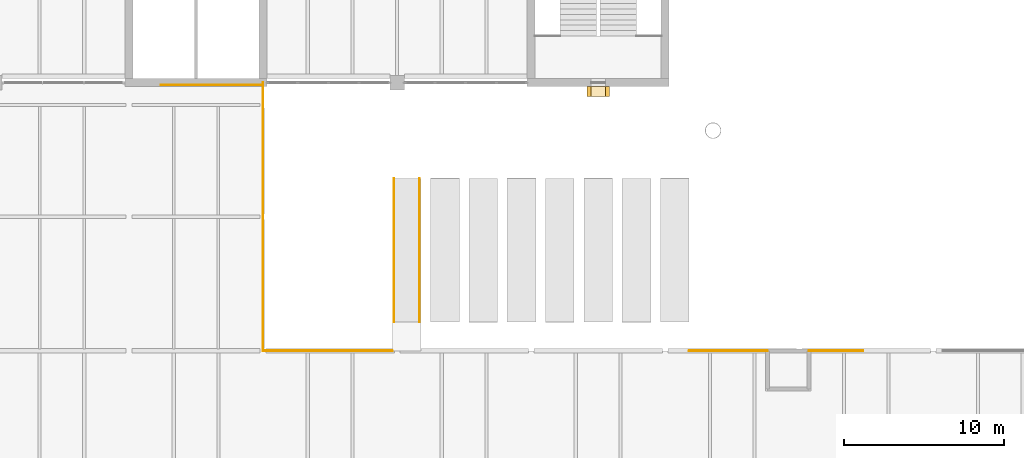
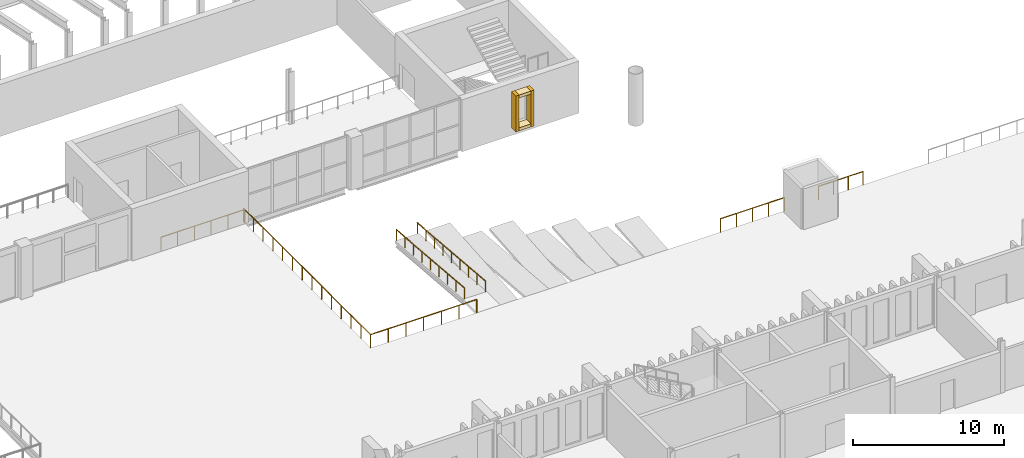
# One storey, part 86 of 96: 7 railings, 4 coverings.
"""IFC4 building model written with IfcOpenShell, lengths in metres."""

from ifc_helpers import new_model, si_unit, direction, frame, origin, origin_2d, place, context, subcontext, project, spatial, rectangle, circle, extrude, material, type_object, element, save


model = new_model("IFC4")

# Units and contexts
model_context = context("Model", 3, precision=1e-05, world=origin(), true_north=direction((0.0, 1.0)))
body_context = subcontext(model_context, "Body", "Model", "MODEL_VIEW")
ifc_project = project(units=[si_unit("LENGTHUNIT", "METRE"), si_unit("AREAUNIT", "SQUARE_METRE"), si_unit("VOLUMEUNIT", "CUBIC_METRE"), si_unit("PLANEANGLEUNIT", "RADIAN"), si_unit("MASSUNIT", "GRAM", prefix="KILO")], contexts=[model_context])

# Site, building, storey
site_placement = place(None, origin())
site = spatial("IfcSite", under=ifc_project, at=site_placement, CompositionType="ELEMENT")
building_placement = place(site_placement, origin())
building = spatial("IfcBuilding", under=site, at=building_placement, Name="Cresset Court Congress Hotel", CompositionType="ELEMENT")
storey_placement = place(building_placement, frame((0.0, 0.0, 6.0)))
storey = spatial("IfcBuildingStorey", under=building, at=storey_placement, Name="L01", CompositionType="ELEMENT", Elevation=6.0)

# Railings
ifc_material_1 = material(Name="Steel and laminated glass", Category="steel")
railing_type_1 = type_object("IfcRailingType", Name="Guard 1100 steel and glass external", PredefinedType="GUARDRAIL", material=ifc_material_1)
railing_1_placement = place(storey_placement, frame((92.39990234375, 42.0, 0.0)))
element("IfcRailing", 1, at=railing_1_placement, inside=storey, type_object=railing_type_1, Name="Deck guard 05", PredefinedType="GUARDRAIL", context=body_context, shape_type="SweptSolid", body=[
    extrude(circle(Radius=0.02490234375, at=origin_2d()), frame((0.0, 0.0, 1.0751953125), z_axis=(1.0, 0.0, 0.0), x_axis=(0.0, 1.0, 0.0)), (0.0, 0.0, 1.0), 8.10009765625),
    extrude(circle(Radius=0.02001953125, at=origin_2d()), origin(), (0.0, 0.0, 1.0), 1.050048828125),
    extrude(circle(Radius=0.02001953125, at=origin_2d()), frame((1.35009765625, 0.0, 0.0)), (0.0, 0.0, 1.0), 1.050048828125),
    extrude(circle(Radius=0.02001953125, at=origin_2d()), frame((2.699951171875, 0.0, 0.0)), (0.0, 0.0, 1.0), 1.050048828125),
    extrude(circle(Radius=0.02001953125, at=origin_2d()), frame((4.050048828125, 0.0, 0.0)), (0.0, 0.0, 1.0), 1.050048828125),
    extrude(circle(Radius=0.02001953125, at=origin_2d()), frame((5.400146484375, 0.0, 0.0)), (0.0, 0.0, 1.0), 1.050048828125),
    extrude(circle(Radius=0.02001953125, at=origin_2d()), frame((6.75, 0.0, 0.0)), (0.0, 0.0, 1.0), 1.050048828125),
    extrude(circle(Radius=0.02001953125, at=origin_2d()), frame((8.10009765625, 0.0, 0.0)), (0.0, 0.0, 1.0), 1.050048828125),
])
railing_2_placement = place(storey_placement, frame((119.10009765625, 42.0, 0.0)))
element("IfcRailing", 2, at=railing_2_placement, inside=storey, type_object=railing_type_1, Name="Deck guard 06", PredefinedType="GUARDRAIL", context=body_context, shape_type="SweptSolid", body=[
    extrude(circle(Radius=0.02490234375, at=origin_2d()), frame((0.0, 0.0, 1.0751953125), z_axis=(1.0, 0.0, 0.0), x_axis=(0.0, 1.0, 0.0)), (0.0, 0.0, 1.0), 4.89990234375),
    extrude(circle(Radius=0.02001953125, at=origin_2d()), origin(), (0.0, 0.0, 1.0), 1.050048828125),
    extrude(circle(Radius=0.02001953125, at=origin_2d()), frame((1.22509765625, 0.0, 0.0)), (0.0, 0.0, 1.0), 1.050048828125),
    extrude(circle(Radius=0.02001953125, at=origin_2d()), frame((2.449951171875, 0.0, 0.0)), (0.0, 0.0, 1.0), 1.050048828125),
    extrude(circle(Radius=0.02001953125, at=origin_2d()), frame((3.6748046875, 0.0, 0.0)), (0.0, 0.0, 1.0), 1.050048828125),
    extrude(circle(Radius=0.02001953125, at=origin_2d()), frame((4.89990234375, 0.0, 0.0)), (0.0, 0.0, 1.0), 1.050048828125),
])
railing_3_placement = place(storey_placement, frame((126.60009765625, 42.0, 0.0)))
element("IfcRailing", 3, at=railing_3_placement, inside=storey, type_object=railing_type_1, Name="Deck guard 07", PredefinedType="GUARDRAIL", context=body_context, shape_type="SweptSolid", body=[
    extrude(circle(Radius=0.02490234375, at=origin_2d()), frame((0.0, 0.0, 1.0751953125), z_axis=(1.0, 0.0, 0.0), x_axis=(0.0, 1.0, 0.0)), (0.0, 0.0, 1.0), 3.39990234375),
    extrude(circle(Radius=0.02001953125, at=origin_2d()), origin(), (0.0, 0.0, 1.0), 1.050048828125),
    extrude(circle(Radius=0.02001953125, at=origin_2d()), frame((1.13330078125, 0.0, 0.0)), (0.0, 0.0, 1.0), 1.050048828125),
    extrude(circle(Radius=0.02001953125, at=origin_2d()), frame((2.2666015625, 0.0, 0.0)), (0.0, 0.0, 1.0), 1.050048828125),
    extrude(circle(Radius=0.02001953125, at=origin_2d()), frame((3.39990234375, 0.0, 0.0)), (0.0, 0.0, 1.0), 1.050048828125),
])
railing_4_placement = place(storey_placement, frame((92.39990234375, 42.0, 0.0)))
element("IfcRailing", 4, at=railing_4_placement, inside=storey, type_object=railing_type_1, Name="Deck guard 14", PredefinedType="GUARDRAIL", context=body_context, shape_type="SweptSolid", body=[
    extrude(circle(Radius=0.02490234375, at=origin_2d()), frame((0.0, 0.0, 1.0751953125), z_axis=(0.0, 1.0, 0.0), x_axis=(-1.0, 0.0, 0.0)), (0.0, 0.0, 1.0), 16.800048828125),
    extrude(circle(Radius=0.02001953125, at=origin_2d()), origin(), (0.0, 0.0, 1.0), 1.050048828125),
    extrude(circle(Radius=0.02001953125, at=origin_2d()), frame((0.0, 1.292236328125, 0.0)), (0.0, 0.0, 1.0), 1.050048828125),
    extrude(circle(Radius=0.02001953125, at=origin_2d()), frame((0.0, 2.584716796875, 0.0)), (0.0, 0.0, 1.0), 1.050048828125),
    extrude(circle(Radius=0.02001953125, at=origin_2d()), frame((0.0, 3.876953125, 0.0)), (0.0, 0.0, 1.0), 1.050048828125),
    extrude(circle(Radius=0.02001953125, at=origin_2d()), frame((0.0, 5.169189453125, 0.0)), (0.0, 0.0, 1.0), 1.050048828125),
    extrude(circle(Radius=0.02001953125, at=origin_2d()), frame((0.0, 6.461669921875, 0.0)), (0.0, 0.0, 1.0), 1.050048828125),
    extrude(circle(Radius=0.02001953125, at=origin_2d()), frame((0.0, 7.75390625, 0.0)), (0.0, 0.0, 1.0), 1.050048828125),
    extrude(circle(Radius=0.02001953125, at=origin_2d()), frame((0.0, 9.046142578125, 0.0)), (0.0, 0.0, 1.0), 1.050048828125),
    extrude(circle(Radius=0.02001953125, at=origin_2d()), frame((0.0, 10.33837890625, 0.0)), (0.0, 0.0, 1.0), 1.050048828125),
    extrude(circle(Radius=0.02001953125, at=origin_2d()), frame((0.0, 11.630859375, 0.0)), (0.0, 0.0, 1.0), 1.050048828125),
    extrude(circle(Radius=0.02001953125, at=origin_2d()), frame((0.0, 12.923095703125, 0.0)), (0.0, 0.0, 1.0), 1.050048828125),
    extrude(circle(Radius=0.02001953125, at=origin_2d()), frame((0.0, 14.21533203125, 0.0)), (0.0, 0.0, 1.0), 1.050048828125),
    extrude(circle(Radius=0.02001953125, at=origin_2d()), frame((0.0, 15.5078125, 0.0)), (0.0, 0.0, 1.0), 1.050048828125),
    extrude(circle(Radius=0.02001953125, at=origin_2d()), frame((0.0, 16.800048828125, 0.0)), (0.0, 0.0, 1.0), 1.050048828125),
])
railing_5_placement = place(storey_placement, frame((92.39990234375, 58.800048828125, 0.0)))
element("IfcRailing", 5, at=railing_5_placement, inside=storey, type_object=railing_type_1, Name="Deck guard 16", PredefinedType="GUARDRAIL", context=body_context, shape_type="SweptSolid", body=[
    extrude(circle(Radius=0.02490234375, at=origin_2d()), frame((0.0, 0.0, 1.0751953125), z_axis=(0.0, -1.0, 0.0), x_axis=(1.0, 0.0, 0.0)), (0.0, 0.0, 1.0), 0.150146484375),
    extrude(circle(Radius=0.02490234375, at=origin_2d()), frame((0.0, -0.150146484375, 1.0751953125), z_axis=(-1.0, 0.0, 0.0), x_axis=(0.0, -1.0, 0.0)), (0.0, 0.0, 1.0), 6.39990234375),
    extrude(circle(Radius=0.02001953125, at=origin_2d()), origin(), (0.0, 0.0, 1.0), 1.050048828125),
    extrude(circle(Radius=0.02001953125, at=origin_2d()), frame((0.0, -0.150146484375, 0.0)), (0.0, 0.0, 1.0), 1.050048828125),
    extrude(circle(Radius=0.02001953125, at=origin_2d()), frame((-1.280029296875, -0.150146484375, 0.0)), (0.0, 0.0, 1.0), 1.050048828125),
    extrude(circle(Radius=0.02001953125, at=origin_2d()), frame((-2.56005859375, -0.150146484375, 0.0)), (0.0, 0.0, 1.0), 1.050048828125),
    extrude(circle(Radius=0.02001953125, at=origin_2d()), frame((-3.83984375, -0.150146484375, 0.0)), (0.0, 0.0, 1.0), 1.050048828125),
    extrude(circle(Radius=0.02001953125, at=origin_2d()), frame((-5.119873046875, -0.150146484375, 0.0)), (0.0, 0.0, 1.0), 1.050048828125),
    extrude(circle(Radius=0.02001953125, at=origin_2d()), frame((-6.39990234375, -0.150146484375, 0.0)), (0.0, 0.0, 1.0), 1.050048828125),
])
ifc_material_2 = material(Name="Stainless steel", Category="steel")
railing_type_2 = type_object("IfcRailingType", Name="Handrail 900 steel", PredefinedType="HANDRAIL", material=ifc_material_2)
for number, where, name in (
    (6, (100.60009765625, 43.800048828125, 0.0), "Ramp handrail 1L"),
    (7, (102.199951171875, 43.800048828125, 0.0), "Ramp handrail 1R"),
):
    element("IfcRailing", number, at=place(storey_placement, frame(where)), inside=storey, type_object=railing_type_2, Name=name, PredefinedType="HANDRAIL", context=body_context, shape_type="SweptSolid", body=[
        extrude(circle(Radius=0.02490234375, at=origin_2d()), frame((0.0, 0.0, 0.875), z_axis=(0.0, 0.996545758245, -0.083045479854), x_axis=(-1.0, 0.0, 0.0)), (0.0, 0.0, 1.0), 9.03125),
        extrude(circle(Radius=0.02001953125, at=origin_2d()), origin(), (0.0, 0.0, 1.0), 0.849853515625),
        extrude(circle(Radius=0.02001953125, at=origin_2d()), frame((0.0, 1.125, -0.09375)), (0.0, 0.0, 1.0), 0.849853515625),
        extrude(circle(Radius=0.02001953125, at=origin_2d()), frame((0.0, 2.25, -0.1875)), (0.0, 0.0, 1.0), 0.849853515625),
        extrude(circle(Radius=0.02001953125, at=origin_2d()), frame((0.0, 3.375, -0.28125)), (0.0, 0.0, 1.0), 0.849853515625),
        extrude(circle(Radius=0.02001953125, at=origin_2d()), frame((0.0, 4.5, -0.375)), (0.0, 0.0, 1.0), 0.849853515625),
        extrude(circle(Radius=0.02001953125, at=origin_2d()), frame((0.0, 5.625, -0.46875)), (0.0, 0.0, 1.0), 0.849853515625),
        extrude(circle(Radius=0.02001953125, at=origin_2d()), frame((0.0, 6.75, -0.5625)), (0.0, 0.0, 1.0), 0.849853515625),
        extrude(circle(Radius=0.02001953125, at=origin_2d()), frame((0.0, 7.875, -0.65625)), (0.0, 0.0, 1.0), 0.849853515625),
        extrude(circle(Radius=0.02001953125, at=origin_2d()), frame((0.0, 9.0, -0.75)), (0.0, 0.0, 1.0), 0.849853515625),
    ])

# Coverings
ifc_material_3 = material(Name="Precast concrete C50", Category="concrete")
covering_type = type_object("IfcCoveringType", Name="Precast reveal frame member 250x600", PredefinedType="CLADDING", material=ifc_material_3)
for number, where, z_axis, x_axis, name in (
    (8, (113.97509765625, 58.25, 0.650146484375), (0.0, 0.0, 1.0), (1.0, 0.0, 0.0), "Reveal frame NC-01-C2a"),
    (9, (112.824951171875, 58.25, 0.650146484375), (0.0, 0.0, 1.0), (1.0, 0.0, 0.0), "Reveal frame NC-01-C2b"),
):
    element("IfcCovering", number, at=place(storey_placement, frame(where, z_axis=z_axis, x_axis=x_axis)), inside=storey, type_object=covering_type, Name=name, PredefinedType="CLADDING", context=body_context, shape_type="SweptSolid", body=[
        extrude(rectangle(XDim=0.25, YDim=0.60009765625, at=origin_2d()), origin(), (0.0, 0.0, 1.0), 2.89990234375),
    ])
for number, where, z_axis, x_axis, name in (
    (10, (113.39990234375, 58.25, 3.300048828125), (0.0, 0.0, 1.0), (1.0, 0.0, 0.0), "Reveal frame NC-01-C2c"),
    (11, (113.39990234375, 58.25, 0.64990234375), (0.0, 0.0, 1.0), (1.0, 0.0, 0.0), "Reveal frame NC-01-C2d"),
):
    element("IfcCovering", number, at=place(storey_placement, frame(where, z_axis=z_axis, x_axis=x_axis)), inside=storey, type_object=covering_type, Name=name, PredefinedType="CLADDING", context=body_context, shape_type="SweptSolid", body=[
        extrude(rectangle(XDim=0.89990234375, YDim=0.60009765625, at=origin_2d()), origin(), (0.0, 0.0, 1.0), 0.25),
    ])

save(model, "model.ifc")
